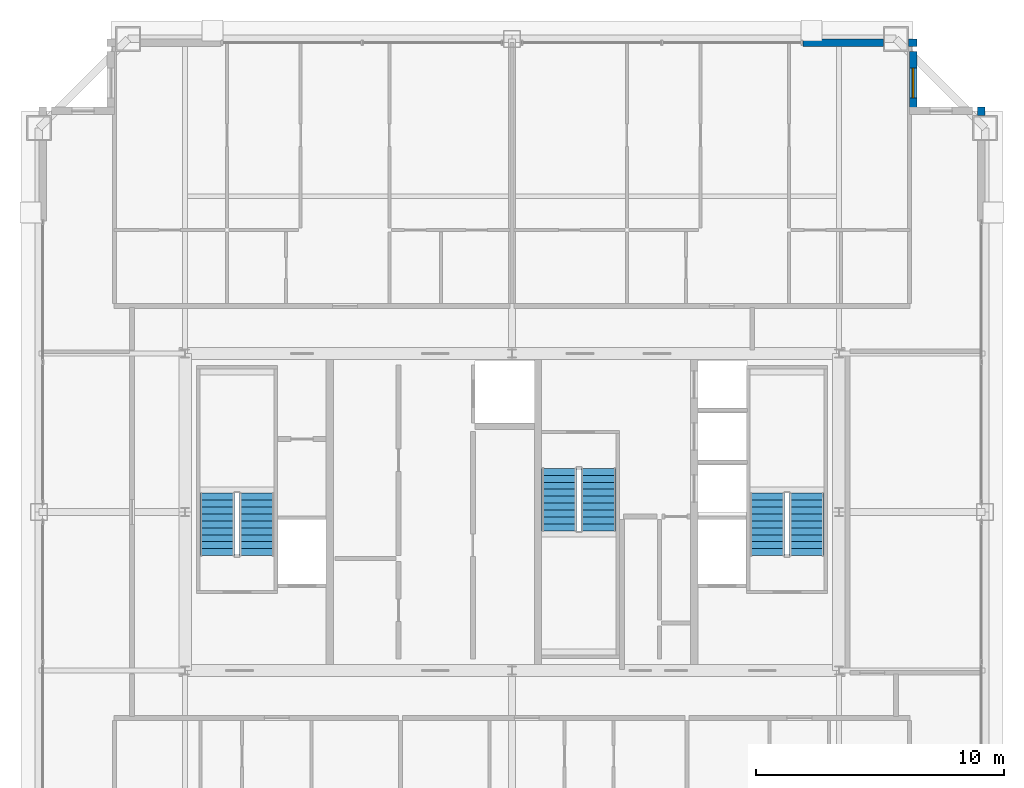
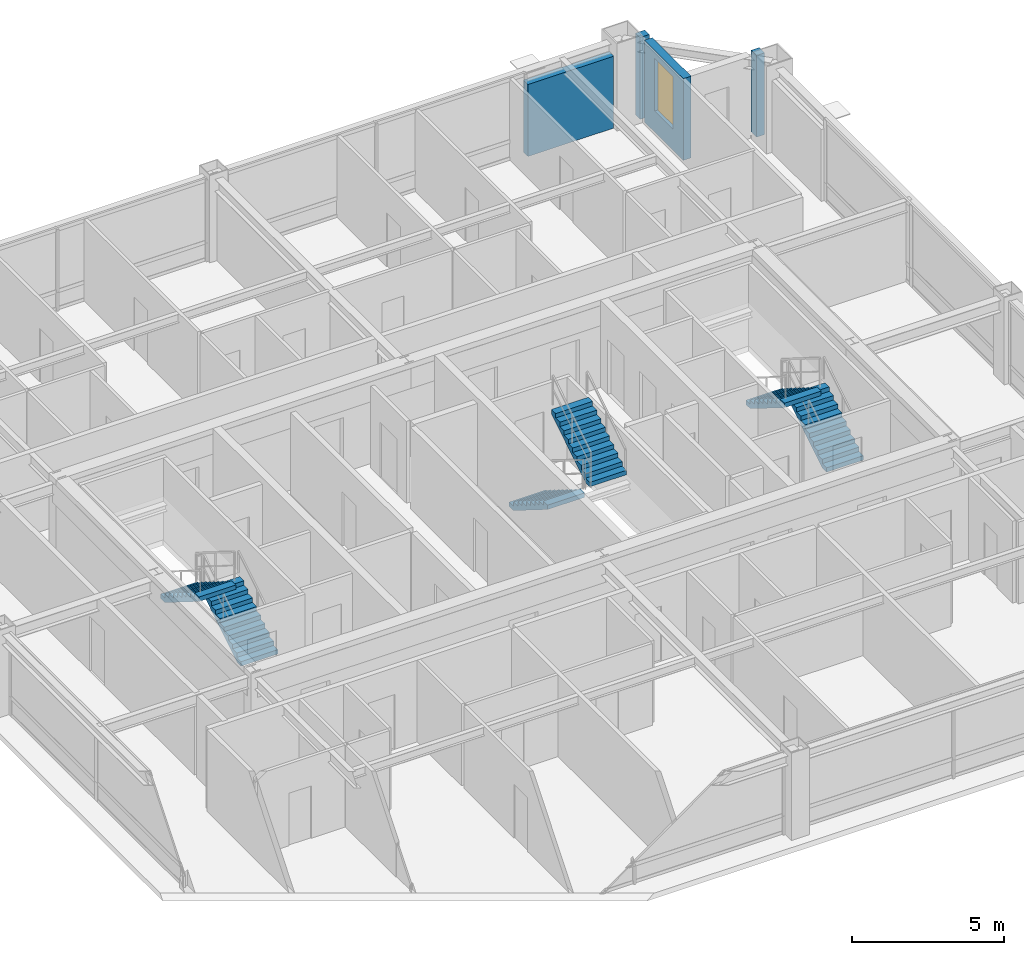
# One storey, part 34 of 35: 6 stair flights, 4 walls, 1 window, 1 opening, 3 elements without a shape of their own.
"""IFC4 building model written with IfcOpenShell, lengths in metres."""

from ifc_helpers import new_model, si_unit, direction, frame, frame_2d, origin, place, context, subcontext, project, spatial, polyline, rectangle, outline, extrude, source, transform, mapped, material, layer, layer_set, type_object, element, fill, aggregate, save


model = new_model("IFC4")

# Units and contexts
model_context = context("Model", 3, precision=1e-05, world=origin(), true_north=direction((0.0, 1.0)))
body_context = subcontext(model_context, "Body", "Model", "MODEL_VIEW")
ifc_project = project(units=[si_unit("LENGTHUNIT", "METRE"), si_unit("AREAUNIT", "SQUARE_METRE"), si_unit("VOLUMEUNIT", "CUBIC_METRE"), si_unit("PLANEANGLEUNIT", "RADIAN"), si_unit("MASSUNIT", "GRAM", prefix="KILO"), si_unit("THERMODYNAMICTEMPERATUREUNIT", "KELVIN"), si_unit("POWERUNIT", "WATT")], contexts=[model_context])

# Site, building, storey
site_placement = place(None, origin())
site = spatial("IfcSite", under=ifc_project, at=site_placement, CompositionType="ELEMENT")
building_placement = place(site_placement, origin())
building = spatial("IfcBuilding", under=site, at=building_placement, Name="Yuzanri Waterfront Tower", CompositionType="ELEMENT")
storey_placement = place(building_placement, frame((0.0, 0.0, 332.199951171875)))
storey = spatial("IfcBuildingStorey", under=building, at=storey_placement, Name="L89", CompositionType="ELEMENT", Elevation=332.199951171875)

# Wall, opening, window
ifc_material_1 = material(Name="Honed Chongqing Dark Basalt Stone", Category="masonry")
ifc_layer = layer(ifc_material_1, 0.300048828125)
ifc_layer_set = layer_set([ifc_layer], Name="Honed Chongqing Dark Basalt Stone")
wall_type = type_object("IfcWallType", Name="Bronze Rainscreen Insulated Spandrel Portal Wall 300", PredefinedType="SOLIDWALL", material=ifc_layer_set)
wall_1_placement = place(storey_placement, frame((53.199951171875, 41.85009765625, 0.0), z_axis=(0.0, 0.0, 1.0), x_axis=(0.0, 1.0, 0.0)))
wall_1 = element("IfcWall", 1, at=wall_1_placement, inside=storey, type_object=wall_type, Name="L89 Notched Corner Masonry Wall NE-Y", PredefinedType="SOLIDWALL", context=body_context, shape_type="SweptSolid", body=[
    extrude(rectangle(XDim=2.5498046875, YDim=0.300048828125, at=frame_2d((1.27490234375, 0.0))), origin(), (0.0, 0.0, 1.0), 3.280029296875),
])
opening_placement = place(wall_1_placement, frame((0.675048828125, 0.0, 0.85009765625)))
opening = element("IfcOpeningElement", 2, at=opening_placement, cuts=wall_1, Name="Opening WN-02", PredefinedType="OPENING", context=body_context, shape_type="SweptSolid", body=[
    extrude(rectangle(XDim=1.199951171875, YDim=2.10009765625, at=frame_2d((0.60009765625, 1.050048828125))), frame((0.0, 0.1650390625, 0.0), z_axis=(0.0, -1.0, 0.0), x_axis=(1.0, 0.0, 0.0)), (0.0, 0.0, 1.0), 0.329833984375),
])
ifc_material_2 = material(Name="Double-Silver Low-E Insulated Glass", Category="glass")
window_type = type_object("IfcWindowType", Name="Anodized Bronze Notched Corner Deep-Set Slot Window 1200x2100", PartitioningType="SINGLE_PANEL", PredefinedType="WINDOW", material=ifc_material_2)
shared_shape_1 = source(origin(), body_context, "Body", "SweptSolid", [
    extrude(rectangle(XDim=1.199951171875, YDim=2.10009765625, at=frame_2d((0.60009765625, 1.050048828125))), frame((0.0, 0.030029296875, 0.0), z_axis=(0.0, -1.0, 0.0), x_axis=(1.0, 0.0, 0.0)), (0.0, 0.0, 1.0), 0.06005859375),
])
window_placement = place(opening_placement, origin())
window = element("IfcWindow", 3, at=window_placement, inside=storey, type_object=window_type, Name="L89 Notched Corner Window NE-Y", OverallHeight=2.10009765625, OverallWidth=1.199951171875, PartitioningType="SINGLE_PANEL", PredefinedType="WINDOW", context=body_context, shape_type="MappedRepresentation", body=[
    mapped(shared_shape_1, transform((0.0, 0.0, 0.0), scale=1.0)),
])
fill(opening, window)

# Walls
shared_shape_2 = source(origin(), body_context, "Body", "SweptSolid", [
    extrude(rectangle(XDim=3.25, YDim=0.300048828125, at=frame_2d((1.625, 0.0))), origin(), (0.0, 0.0, 1.0), 2.885009765625),
])
wall_2_placement = place(storey_placement, frame((48.75, 44.75, 0.0), z_axis=(0.0, 0.0, 1.0), x_axis=(1.0, 0.0, 0.0)))
element("IfcWall", 4, at=wall_2_placement, inside=storey, type_object=wall_type, Name="L89 N Right Braced Masonry Shoulder", PredefinedType="SOLIDWALL", context=body_context, shape_type="MappedRepresentation", body=[
    mapped(shared_shape_2, transform((0.0, 0.0, 0.0), scale=1.0)),
])
shared_shape_3 = source(origin(), body_context, "Body", "SweptSolid", [
    extrude(rectangle(XDim=0.35009765625, YDim=0.300048828125, at=frame_2d((0.175048828125, 0.0))), origin(), (0.0, 0.0, 1.0), 3.280029296875),
])
wall_3_placement = place(storey_placement, frame((53.0, 44.75, 0.0), z_axis=(0.0, 0.0, 1.0), x_axis=(1.0, 0.0, 0.0)))
element("IfcWall", 5, at=wall_3_placement, inside=storey, type_object=wall_type, Name="L89 Corner Column Shoulder Return CNE", PredefinedType="SOLIDWALL", context=body_context, shape_type="MappedRepresentation", body=[
    mapped(shared_shape_3, transform((0.0, 0.0, 0.0), scale=1.0)),
])
shared_shape_4 = source(origin(), body_context, "Body", "SweptSolid", [
    extrude(rectangle(XDim=0.349853515625, YDim=0.300048828125, at=frame_2d((0.1748046875, 0.0))), origin(), (0.0, 0.0, 1.0), 3.280029296875),
])
wall_4_placement = place(storey_placement, frame((55.949951171875, 41.800048828125, 0.0), z_axis=(0.0, 0.0, 1.0), x_axis=(0.0, 1.0, 0.0)))
element("IfcWall", 6, at=wall_4_placement, inside=storey, type_object=wall_type, Name="L89 Corner Column Shoulder Return CEN", PredefinedType="SOLIDWALL", context=body_context, shape_type="MappedRepresentation", body=[
    mapped(shared_shape_4, transform((0.0, 0.0, 0.0), scale=1.0)),
])

# Stair, stair flights
ifc_material_3 = material(Name="Concrete C40", Category="concrete")
stair_type = type_object("IfcStairType", Name="Concrete C40 Core Dogleg Exit Stair", PredefinedType="HALF_TURN_STAIR", material=ifc_material_3)
stair_1_placement = place(storey_placement, origin())
stair_1 = element("IfcStair", 7, at=stair_1_placement, inside=storey, type_object=stair_type, Name="L89 Smoke-Proof Core Stair ST-01", PredefinedType="HALF_TURN_STAIR")
ifc_material_4 = material(Name="Concrete C40", Category="concrete")
stair_flight_type = type_object("IfcStairFlightType", Name="Concrete C40 Precast Stair Flight 1380", PredefinedType="STRAIGHT", material=ifc_material_4)
shared_shape_5 = source(origin(), body_context, "Body", "SweptSolid", [
    extrude(outline(polyline([(0.0, 0.0), (0.0, 0.175048828125), (0.280029296875, 0.175048828125), (0.280029296875, 0.35009765625), (0.56005859375, 0.35009765625), (0.56005859375, 0.52490234375), (0.840087890625, 0.52490234375), (0.840087890625, 0.699951171875), (1.1201171875, 0.699951171875), (1.1201171875, 0.875), (1.39990234375, 0.875), (1.39990234375, 1.050048828125), (1.679931640625, 1.050048828125), (1.679931640625, 1.22509765625), (1.9599609375, 1.22509765625), (1.9599609375, 1.39990234375), (2.239990234375, 1.39990234375), (2.239990234375, 1.574951171875), (2.52001953125, 1.574951171875), (2.52001953125, 1.75), (2.52001953125, 1.398193359375), (0.28271484375, 0.0), (0.0, 0.0)])), frame((0.0, 0.699951171875, 0.0), z_axis=(0.0, -1.0, 0.0), x_axis=(1.0, 0.0, 0.0)), (0.0, 0.0, 1.0), 1.39990234375),
])
stair_flight_1_placement = place(storey_placement, frame((26.699951171875, 24.0400390625, 0.0), z_axis=(0.0, 0.0, 1.0), x_axis=(0.0, 1.0, 0.0)))
stair_flight_1 = element("IfcStairFlight", 8, at=stair_flight_1_placement, type_object=stair_flight_type, Name="ST-01 flight 1", NumberOfRisers=10, NumberOfTreads=9, PredefinedType="STRAIGHT", RiserHeight=0.175, TreadLength=0.28, context=body_context, shape_type="MappedRepresentation", body=[
    mapped(shared_shape_5, transform((0.0, 0.0, 0.0), scale=1.0)),
])
stair_flight_2_placement = place(storey_placement, frame((25.10009765625, 26.56005859375, 1.75), z_axis=(0.0, 0.0, 1.0), x_axis=(0.0, -1.0, 0.0)))
stair_flight_2 = element("IfcStairFlight", 9, at=stair_flight_2_placement, type_object=stair_flight_type, Name="ST-01 flight 2", NumberOfRisers=10, NumberOfTreads=9, PredefinedType="STRAIGHT", RiserHeight=0.175, TreadLength=0.28, context=body_context, shape_type="MappedRepresentation", body=[
    mapped(shared_shape_5, transform((0.0, 0.0, 0.0), scale=1.0)),
])
aggregate(stair_1, [stair_flight_1, stair_flight_2])

stair_2_placement = place(storey_placement, origin())
stair_2 = element("IfcStair", 10, at=stair_2_placement, inside=storey, type_object=stair_type, Name="L89 Smoke-Proof Core Stair ST-02", PredefinedType="HALF_TURN_STAIR")
stair_flight_3_placement = place(storey_placement, frame((48.89990234375, 24.0400390625, 0.0), z_axis=(0.0, 0.0, 1.0), x_axis=(0.0, 1.0, 0.0)))
stair_flight_3 = element("IfcStairFlight", 11, at=stair_flight_3_placement, type_object=stair_flight_type, Name="ST-02 flight 1", NumberOfRisers=10, NumberOfTreads=9, PredefinedType="STRAIGHT", RiserHeight=0.175, TreadLength=0.28, context=body_context, shape_type="MappedRepresentation", body=[
    mapped(shared_shape_5, transform((0.0, 0.0, 0.0), scale=1.0)),
])
stair_flight_4_placement = place(storey_placement, frame((47.300048828125, 26.56005859375, 1.75), z_axis=(0.0, 0.0, 1.0), x_axis=(0.0, -1.0, 0.0)))
stair_flight_4 = element("IfcStairFlight", 12, at=stair_flight_4_placement, type_object=stair_flight_type, Name="ST-02 flight 2", NumberOfRisers=10, NumberOfTreads=9, PredefinedType="STRAIGHT", RiserHeight=0.175, TreadLength=0.28, context=body_context, shape_type="MappedRepresentation", body=[
    mapped(shared_shape_5, transform((0.0, 0.0, 0.0), scale=1.0)),
])
aggregate(stair_2, [stair_flight_3, stair_flight_4])

stair_3_placement = place(storey_placement, origin())
stair_3 = element("IfcStair", 13, at=stair_3_placement, inside=storey, type_object=stair_type, Name="L89 Smoke-Proof Core Stair ST-03", PredefinedType="HALF_TURN_STAIR")
stair_flight_5_placement = place(storey_placement, frame((38.89990234375, 27.56005859375, 0.0), z_axis=(0.0, 0.0, 1.0), x_axis=(0.0, -1.0, 0.0)))
stair_flight_5 = element("IfcStairFlight", 14, at=stair_flight_5_placement, type_object=stair_flight_type, Name="ST-03 flight 1", NumberOfRisers=10, NumberOfTreads=9, PredefinedType="STRAIGHT", RiserHeight=0.175, TreadLength=0.28, context=body_context, shape_type="MappedRepresentation", body=[
    mapped(shared_shape_5, transform((0.0, 0.0, 0.0), scale=1.0)),
])
stair_flight_6_placement = place(storey_placement, frame((40.5, 25.0400390625, 1.75), z_axis=(0.0, 0.0, 1.0), x_axis=(0.0, 1.0, 0.0)))
stair_flight_6 = element("IfcStairFlight", 15, at=stair_flight_6_placement, type_object=stair_flight_type, Name="ST-03 flight 2", NumberOfRisers=10, NumberOfTreads=9, PredefinedType="STRAIGHT", RiserHeight=0.175, TreadLength=0.28, context=body_context, shape_type="MappedRepresentation", body=[
    mapped(shared_shape_5, transform((0.0, 0.0, 0.0), scale=1.0)),
])
aggregate(stair_3, [stair_flight_5, stair_flight_6])

save(model, "model.ifc")
